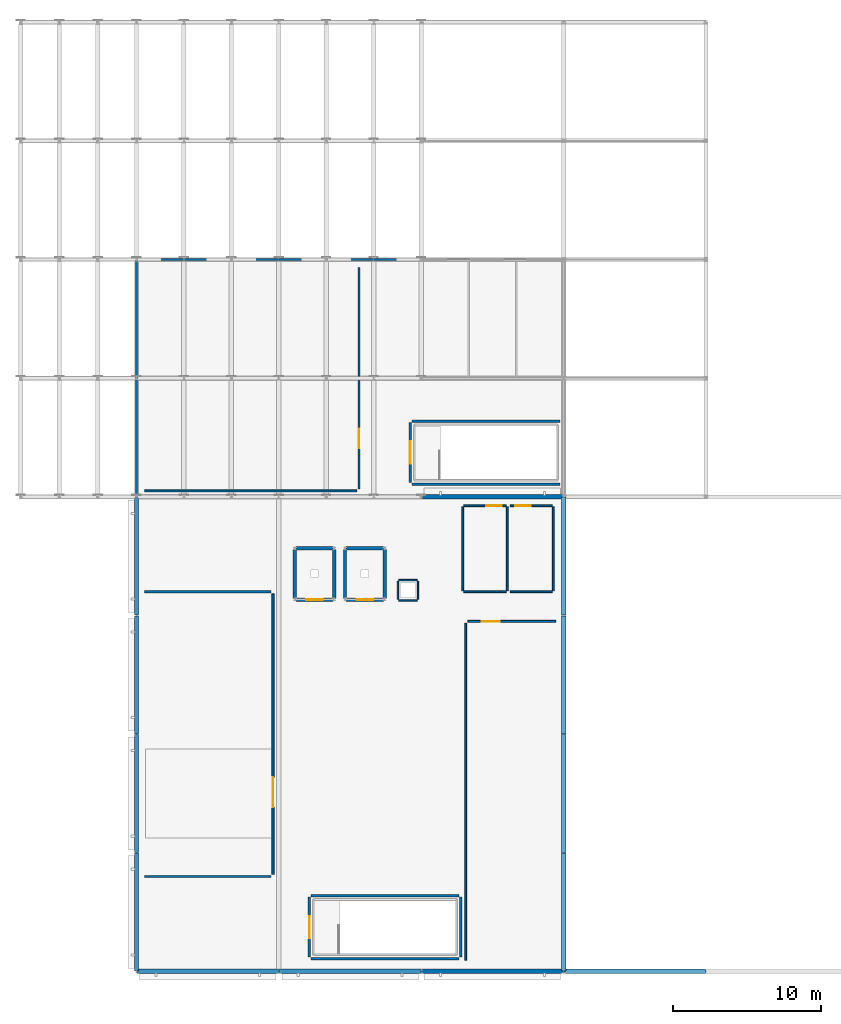
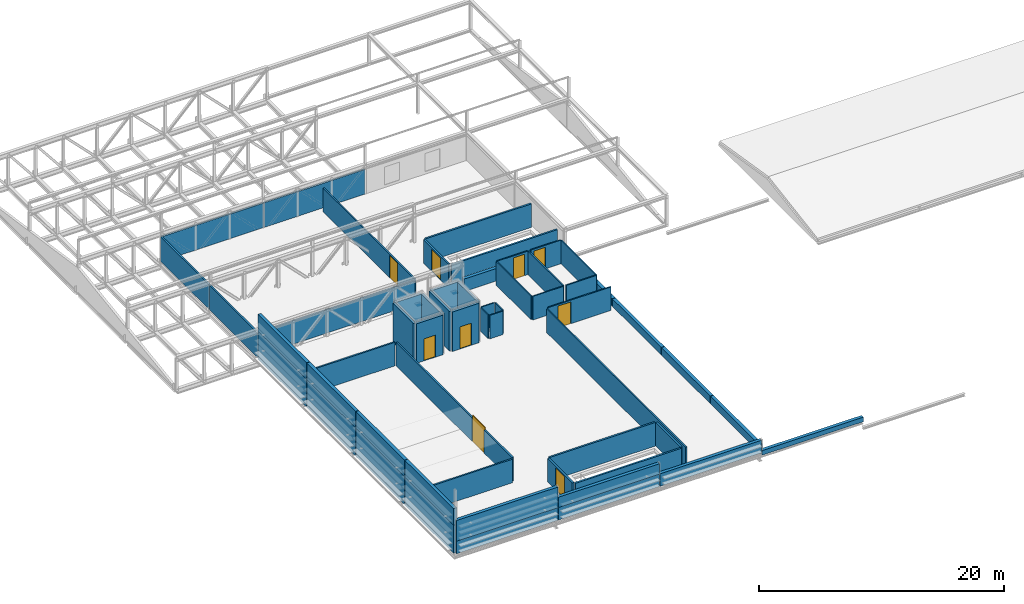
# One storey, part 32 of 34: 56 walls, 9 doors, 9 openings.
"""IFC4 building model written with IfcOpenShell, lengths in metres."""

from ifc_helpers import new_model, si_unit, direction, frame, frame_2d, origin, place, context, subcontext, project, spatial, rectangle, extrude, material, layer, layer_set, type_object, element, fill, save


model = new_model("IFC4")

# Units and contexts
model_context = context("Model", 3, precision=1e-05, world=origin(), true_north=direction((0.0, 1.0)))
body_context = subcontext(model_context, "Body", "Model", "MODEL_VIEW")
ifc_project = project(units=[si_unit("LENGTHUNIT", "METRE"), si_unit("AREAUNIT", "SQUARE_METRE"), si_unit("VOLUMEUNIT", "CUBIC_METRE"), si_unit("PLANEANGLEUNIT", "RADIAN"), si_unit("MASSUNIT", "GRAM", prefix="KILO")], contexts=[model_context])

# Site, building, storey
site_placement = place(None, origin())
site = spatial("IfcSite", under=ifc_project, at=site_placement, CompositionType="ELEMENT")
building_placement = place(site_placement, origin())
building = spatial("IfcBuilding", under=site, at=building_placement, Name="Alderhovde Museum", CompositionType="ELEMENT")
storey_placement = place(building_placement, frame((0.0, 0.0, 25.800048828125)))
storey = spatial("IfcBuildingStorey", under=building, at=storey_placement, Name="L05", CompositionType="ELEMENT", Elevation=25.800048828125)

# Walls
ifc_material_1 = material(Name="Limestone Ashlar Rainscreen Wall", Category="masonry")
ifc_layer_1 = layer(ifc_material_1, 0.14990234375)
ifc_layer_set_1 = layer_set([ifc_layer_1], Name="Limestone Ashlar Rainscreen Wall")
wall_type_1 = type_object("IfcWallType", Name="EW-LIME-340", PredefinedType="SOLIDWALL", material=ifc_layer_set_1)
wall_1_placement = place(storey_placement, frame((9.6201171875, 96.0, 0.0), z_axis=(0.0, 0.0, 1.0), x_axis=(1.0, 0.0, 0.0)))
element("IfcWall", 1, at=wall_1_placement, inside=storey, type_object=wall_type_1, Name="L05 L05 Curatorial Library North Wall 166", PredefinedType="SOLIDWALL", context=body_context, shape_type="SweptSolid", body=[
    extrude(rectangle(XDim=9.559814453125, YDim=0.14990234375, at=frame_2d((4.77978515625, 0.0))), origin(), (0.0, 0.0, 1.0), 2.449951171875),
])
wall_2_placement = place(storey_placement, frame((19.219970703125, 96.0, 0.0), z_axis=(0.0, 0.0, 1.0), x_axis=(1.0, 0.0, 0.0)))
element("IfcWall", 2, at=wall_2_placement, inside=storey, type_object=wall_type_1, Name="L05 L05 Curatorial Library North Wall 167", PredefinedType="SOLIDWALL", context=body_context, shape_type="SweptSolid", body=[
    extrude(rectangle(XDim=9.56005859375, YDim=0.14990234375, at=frame_2d((4.780029296875, 0.0))), origin(), (0.0, 0.0, 1.0), 2.449951171875),
])
for number, where, z_axis, x_axis, name in (
    (3, (9.60009765625, 80.02001953125, 0.0), (0.0, 0.0, 1.0), (0.0, 1.0, 0.0), "L05 L05 Library West Wall 169"),
    (4, (9.60009765625, 88.02001953125, 0.0), (0.0, 0.0, 1.0), (0.0, 1.0, 0.0), "L05 L05 Library West Wall 171"),
):
    element("IfcWall", number, at=place(storey_placement, frame(where, z_axis=z_axis, x_axis=x_axis)), inside=storey, type_object=wall_type_1, Name=name, PredefinedType="SOLIDWALL", context=body_context, shape_type="SweptSolid", body=[
        extrude(rectangle(XDim=7.9599609375, YDim=0.14990234375, at=frame_2d((3.97998046875, 0.0))), origin(), (0.0, 0.0, 1.0), 2.449951171875),
    ])
ifc_material_2 = material(Name="Insulated Zinc-Clad Backing Wall")
ifc_layer_2 = layer(ifc_material_2, 0.300048828125)
ifc_layer_set_2 = layer_set([ifc_layer_2], Name="Insulated Zinc-Clad Backing Wall")
wall_type_2 = type_object("IfcWallType", Name="EW-ZINC-300", PredefinedType="SOLIDWALL", material=ifc_layer_set_2)
wall_3_placement = place(storey_placement, frame((9.6201171875, 48.0, 0.0), z_axis=(0.0, 0.0, 1.0), x_axis=(1.0, 0.0, 0.0)))
element("IfcWall", 5, at=wall_3_placement, inside=storey, type_object=wall_type_2, Name="L05 Folded Wing South Wall 64", PredefinedType="SOLIDWALL", context=body_context, shape_type="SweptSolid", body=[
    extrude(rectangle(XDim=9.559814453125, YDim=0.300048828125, at=frame_2d((4.77978515625, 0.0))), origin(), (0.0, 0.0, 1.0), 1.25),
])
wall_4_placement = place(storey_placement, frame((19.219970703125, 48.0, 0.0), z_axis=(0.0, 0.0, 1.0), x_axis=(1.0, 0.0, 0.0)))
element("IfcWall", 6, at=wall_4_placement, inside=storey, type_object=wall_type_2, Name="L05 Folded Wing South Wall 65", PredefinedType="SOLIDWALL", context=body_context, shape_type="SweptSolid", body=[
    extrude(rectangle(XDim=9.56005859375, YDim=0.300048828125, at=frame_2d((4.780029296875, 0.0))), origin(), (0.0, 0.0, 1.0), 1.25),
])
for number, where, z_axis, x_axis, name in (
    (7, (28.820068359375, 48.0, 0.0), (0.0, 0.0, 1.0), (1.0, 0.0, 0.0), "L05 Folded Wing South Wall 66"),
    (8, (28.820068359375, 80.0, 0.0), (0.0, 0.0, 1.0), (1.0, 0.0, 0.0), "L05 Folded Wing North Wall 67"),
):
    element("IfcWall", number, at=place(storey_placement, frame(where, z_axis=z_axis, x_axis=x_axis)), inside=storey, type_object=wall_type_2, Name=name, PredefinedType="SOLIDWALL", context=body_context, shape_type="SweptSolid", body=[
        extrude(rectangle(XDim=9.559814453125, YDim=0.300048828125, at=frame_2d((4.77978515625, 0.0))), origin(), (0.0, 0.0, 1.0), 1.25),
    ])
for number, where, z_axis, x_axis, name in (
    (9, (9.60009765625, 48.02001953125, 0.0), (0.0, 0.0, 1.0), (0.0, 1.0, 0.0), "L05 Raised West Prow Wall 68"),
    (10, (9.60009765625, 56.02001953125, 0.0), (0.0, 0.0, 1.0), (0.0, 1.0, 0.0), "L05 Raised West Prow Wall 69"),
    (11, (9.60009765625, 64.02001953125, 0.0), (0.0, 0.0, 1.0), (0.0, 1.0, 0.0), "L05 Raised West Prow Wall 70"),
    (12, (9.60009765625, 72.02001953125, 0.0), (0.0, 0.0, 1.0), (0.0, 1.0, 0.0), "L05 Raised West Prow Wall 71"),
):
    element("IfcWall", number, at=place(storey_placement, frame(where, z_axis=z_axis, x_axis=x_axis)), inside=storey, type_object=wall_type_2, Name=name, PredefinedType="SOLIDWALL", context=body_context, shape_type="SweptSolid", body=[
        extrude(rectangle(XDim=7.9599609375, YDim=0.300048828125, at=frame_2d((3.97998046875, 0.0))), origin(), (0.0, 0.0, 1.0), 2.800048828125),
    ])
for number, where, z_axis, x_axis, name in (
    (13, (38.39990234375, 48.02001953125, 0.0), (0.0, 0.0, 1.0), (0.0, 1.0, 0.0), "L05 Folded Wing East Step Wall 72"),
    (14, (38.39990234375, 56.02001953125, 0.0), (0.0, 0.0, 1.0), (0.0, 1.0, 0.0), "L05 Folded Wing East Step Wall 73"),
    (15, (38.39990234375, 64.02001953125, 0.0), (0.0, 0.0, 1.0), (0.0, 1.0, 0.0), "L05 Folded Wing East Step Wall 74"),
    (16, (38.39990234375, 72.02001953125, 0.0), (0.0, 0.0, 1.0), (0.0, 1.0, 0.0), "L05 Folded Wing East Step Wall 75"),
):
    element("IfcWall", number, at=place(storey_placement, frame(where, z_axis=z_axis, x_axis=x_axis)), inside=storey, type_object=wall_type_2, Name=name, PredefinedType="SOLIDWALL", context=body_context, shape_type="SweptSolid", body=[
        extrude(rectangle(XDim=7.9599609375, YDim=0.300048828125, at=frame_2d((3.97998046875, 0.0))), origin(), (0.0, 0.0, 1.0), 0.75),
    ])
wall_5_placement = place(storey_placement, frame((9.6201171875, 48.0, 1.25), z_axis=(0.0, 0.0, 1.0), x_axis=(1.0, 0.0, 0.0)))
element("IfcWall", 17, at=wall_5_placement, inside=storey, type_object=wall_type_2, Name="L05 Folded-Wing Fascia Wall 76", PredefinedType="SOLIDWALL", context=body_context, shape_type="SweptSolid", body=[
    extrude(rectangle(XDim=9.559814453125, YDim=0.300048828125, at=frame_2d((4.77978515625, 0.0))), origin(), (0.0, 0.0, 1.0), 2.06005859375),
])
wall_6_placement = place(storey_placement, frame((19.219970703125, 48.0, 1.25), z_axis=(0.0, 0.0, 1.0), x_axis=(1.0, 0.0, 0.0)))
element("IfcWall", 18, at=wall_6_placement, inside=storey, type_object=wall_type_2, Name="L05 Folded-Wing Fascia Wall 77", PredefinedType="SOLIDWALL", context=body_context, shape_type="SweptSolid", body=[
    extrude(rectangle(XDim=9.56005859375, YDim=0.300048828125, at=frame_2d((4.780029296875, 0.0))), origin(), (0.0, 0.0, 1.0), 1.02197265625),
])
wall_7_placement = place(storey_placement, frame((38.419921875, 48.0, -0.260009765625), z_axis=(0.0, 0.0, 1.0), x_axis=(1.0, 0.0, 0.0)))
element("IfcWall", 19, at=wall_7_placement, inside=storey, type_object=wall_type_2, Name="L05 Folded-Wing Fascia Wall 78", PredefinedType="SOLIDWALL", context=body_context, shape_type="SweptSolid", body=[
    extrude(rectangle(XDim=9.56005859375, YDim=0.300048828125, at=frame_2d((4.780029296875, 0.0))), origin(), (0.0, 0.0, 1.0), 0.455078125),
])
for number, where, z_axis, x_axis, name in (
    (20, (9.60009765625, 48.02001953125, 2.800048828125), (0.0, 0.0, 1.0), (0.0, 1.0, 0.0), "L05 Raised West Prow Fascia Wall 81"),
    (21, (9.60009765625, 56.02001953125, 2.800048828125), (0.0, 0.0, 1.0), (0.0, 1.0, 0.0), "L05 Raised West Prow Fascia Wall 82"),
    (22, (9.60009765625, 64.02001953125, 2.800048828125), (0.0, 0.0, 1.0), (0.0, 1.0, 0.0), "L05 Raised West Prow Fascia Wall 83"),
    (23, (9.60009765625, 72.02001953125, 2.800048828125), (0.0, 0.0, 1.0), (0.0, 1.0, 0.0), "L05 Raised West Prow Fascia Wall 84"),
):
    element("IfcWall", number, at=place(storey_placement, frame(where, z_axis=z_axis, x_axis=x_axis)), inside=storey, type_object=wall_type_2, Name=name, PredefinedType="SOLIDWALL", context=body_context, shape_type="SweptSolid", body=[
        extrude(rectangle(XDim=7.9599609375, YDim=0.300048828125, at=frame_2d((3.97998046875, 0.0))), origin(), (0.0, 0.0, 1.0), 1.64990234375),
    ])
ifc_material_3 = material(Name="Plywood-Backed Gallery Display Partition", Category="wood")
ifc_layer_3 = layer(ifc_material_3, 0.14990234375)
ifc_layer_set_3 = layer_set([ifc_layer_3], Name="Plywood-Backed Gallery Display Partition")
wall_type_3 = type_object("IfcWallType", Name="IW-GAL-150", PredefinedType="PARTITIONING", material=ifc_layer_set_3)
for number, where, z_axis, x_axis, name in (
    (24, (10.139892578125, 73.60009765625, 0.0), (0.0, 0.0, 1.0), (1.0, 0.0, 0.0), "L05 Raised Prow Top-Lit Sky Gallery Partition Wall N"),
    (25, (10.139892578125, 54.39990234375, 0.0), (0.0, 0.0, 1.0), (1.0, 0.0, 0.0), "L05 Raised Prow Top-Lit Sky Gallery Partition Wall S"),
):
    element("IfcWall", number, at=place(storey_placement, frame(where, z_axis=z_axis, x_axis=x_axis)), inside=storey, type_object=wall_type_3, Name=name, PredefinedType="PARTITIONING", context=body_context, shape_type="SweptSolid", body=[
        extrude(rectangle(XDim=8.52001953125, YDim=0.14990234375, at=frame_2d((4.260009765625, 0.0))), origin(), (0.0, 0.0, 1.0), 2.349853515625),
    ])

# Wall, opening, door
wall_8_placement = place(storey_placement, frame((18.800048828125, 54.5400390625, 0.0), z_axis=(0.0, 0.0, 1.0), x_axis=(0.0, 1.0, 0.0)))
wall_8 = element("IfcWall", 26, at=wall_8_placement, inside=storey, type_object=wall_type_3, Name="L05 Raised Prow Top-Lit Sky Gallery Partition Wall E", PredefinedType="PARTITIONING", context=body_context, shape_type="SweptSolid", body=[
    extrude(rectangle(XDim=18.919921875, YDim=0.14990234375, at=frame_2d((9.4599609375, 0.0))), origin(), (0.0, 0.0, 1.0), 2.349853515625),
])
opening_1_placement = place(wall_8_placement, frame((4.541015625, 0.0, 0.0)))
opening_1 = element("IfcOpeningElement", 27, at=opening_1_placement, cuts=wall_8, Name="Opening D02", PredefinedType="OPENING", context=body_context, shape_type="SweptSolid", body=[
    extrude(rectangle(XDim=2.0, YDim=2.60009765625, at=frame_2d((1.0, 1.300048828125))), frame((0.0, 0.0849609375, 0.0), z_axis=(0.0, -1.0, 0.0), x_axis=(1.0, 0.0, 0.0)), (0.0, 0.0, 1.0), 0.169921875),
])
ifc_material_4 = material(Name="Exhibition Enfilade Double Door (Steel/Oak)", Category="steel")
door_type_1 = type_object("IfcDoorType", Name="ID-GAL-2000x2600", OperationType="NOTDEFINED", PredefinedType="DOOR", material=ifc_material_4)
door_1_placement = place(opening_1_placement, origin())
door_1 = element("IfcDoor", 28, at=door_1_placement, inside=storey, type_object=door_type_1, Name="L05 Raised Prow Top-Lit Sky Gallery Door", OperationType="DOUBLE_DOOR_SINGLE_SWING", OverallHeight=2.60009765625, OverallWidth=2.0, PredefinedType="DOOR", context=body_context, shape_type="SweptSolid", body=[
    extrude(rectangle(XDim=2.0, YDim=2.60009765625, at=frame_2d((1.0, 1.300048828125))), frame((0.0, 0.02490234375, 0.0), z_axis=(0.0, -1.0, 0.0), x_axis=(1.0, 0.0, 0.0)), (0.0, 0.0, 1.0), 0.050048828125),
])
fill(opening_1, door_1)

# Walls
ifc_material_5 = material(Name="Acoustic Service Riser Lining Wall")
ifc_layer_4 = layer(ifc_material_5, 0.10009765625)
ifc_layer_set_4 = layer_set([ifc_layer_4], Name="Acoustic Service Riser Lining Wall")
wall_type_4 = type_object("IfcWallType", Name="IW-LIN-100", PredefinedType="PARTITIONING", material=ifc_layer_set_4)
for number, where, z_axis, x_axis, name in (
    (29, (27.280029296875, 74.3798828125, 0.0), (0.0, 0.0, 1.0), (1.0, 0.0, 0.0), "L05 Service Riser RSR-V1A Shaft Wall N"),
    (30, (27.280029296875, 73.02001953125, 0.0), (0.0, 0.0, 1.0), (1.0, 0.0, 0.0), "L05 Service Riser RSR-V1A Shaft Wall S"),
    (31, (27.219970703125, 73.080078125, 0.0), (0.0, 0.0, 1.0), (0.0, 1.0, 0.0), "L05 Service Riser RSR-V1A Shaft Wall W"),
    (32, (28.580078125, 73.080078125, 0.0), (0.0, 0.0, 1.0), (0.0, 1.0, 0.0), "L05 Service Riser RSR-V1A Shaft Wall E"),
):
    element("IfcWall", number, at=place(storey_placement, frame(where, z_axis=z_axis, x_axis=x_axis)), inside=storey, type_object=wall_type_4, Name=name, PredefinedType="PARTITIONING", context=body_context, shape_type="SweptSolid", body=[
        extrude(rectangle(XDim=1.239990234375, YDim=0.10009765625, at=frame_2d((0.6201171875, 0.0))), origin(), (0.0, 0.0, 1.0), 2.349853515625),
    ])

# Wall, opening, door
ifc_material_6 = material(Name="Insulated Metal-Stud Room Partition")
ifc_layer_5 = layer(ifc_material_6, 0.125)
ifc_layer_set_5 = layer_set([ifc_layer_5], Name="Insulated Metal-Stud Room Partition")
wall_type_5 = type_object("IfcWallType", Name="IW-PART-125", PredefinedType="PARTITIONING", material=ifc_layer_set_5)
wall_9_placement = place(storey_placement, frame((31.93994140625, 71.60009765625, 0.0), z_axis=(0.0, 0.0, 1.0), x_axis=(1.0, 0.0, 0.0)))
wall_9 = element("IfcWall", 33, at=wall_9_placement, inside=storey, type_object=wall_type_5, Name="L05 Nordic Botany Cabinet Partition Wall N", PredefinedType="PARTITIONING", context=body_context, shape_type="SweptSolid", body=[
    extrude(rectangle(XDim=5.920166015625, YDim=0.125, at=frame_2d((2.9599609375, 0.0))), origin(), (0.0, 0.0, 1.0), 2.349853515625),
])
opening_2_placement = place(wall_9_placement, frame((0.947998046875, 0.0, 0.0)))
opening_2 = element("IfcOpeningElement", 34, at=opening_2_placement, cuts=wall_9, Name="Opening D15", PredefinedType="OPENING", context=body_context, shape_type="SweptSolid", body=[
    extrude(rectangle(XDim=1.199951171875, YDim=2.179931640625, at=frame_2d((0.60009765625, 1.08984375))), frame((0.0, 0.072509765625, 0.0), z_axis=(0.0, -1.0, 0.0), x_axis=(1.0, 0.0, 0.0)), (0.0, 0.0, 1.0), 0.14501953125),
])
ifc_material_7 = material(Name="Botanical Cabinet Oak Door (Steel/Oak)", Category="steel")
door_type_2 = type_object("IfcDoorType", Name="ID-BOT-1200x2180", OperationType="NOTDEFINED", PredefinedType="DOOR", material=ifc_material_7)
door_2_placement = place(opening_2_placement, origin())
door_2 = element("IfcDoor", 35, at=door_2_placement, inside=storey, type_object=door_type_2, Name="L05 Nordic Botany Cabinet Door", OperationType="SINGLE_SWING_RIGHT", OverallHeight=2.179931640625, OverallWidth=1.199951171875, PredefinedType="DOOR", context=body_context, shape_type="SweptSolid", body=[
    extrude(rectangle(XDim=1.199951171875, YDim=2.179931640625, at=frame_2d((0.60009765625, 1.08984375))), frame((0.0, 0.02490234375, 0.0), z_axis=(0.0, -1.0, 0.0), x_axis=(1.0, 0.0, 0.0)), (0.0, 0.0, 1.0), 0.050048828125),
])
fill(opening_2, door_2)

# Walls
wall_10_placement = place(storey_placement, frame((31.800048828125, 48.739990234375, 0.0), z_axis=(0.0, 0.0, 1.0), x_axis=(0.0, 1.0, 0.0)))
element("IfcWall", 36, at=wall_10_placement, inside=storey, type_object=wall_type_5, Name="L05 Nordic Botany Cabinet Partition Wall W", PredefinedType="PARTITIONING", context=body_context, shape_type="SweptSolid", body=[
    extrude(rectangle(XDim=22.719970703125, YDim=0.125, at=frame_2d((11.35986328125, 0.0))), origin(), (0.0, 0.0, 1.0), 2.349853515625),
])
wall_11_placement = place(storey_placement, frame((10.139892578125, 80.39990234375, 0.0), z_axis=(0.0, 0.0, 1.0), x_axis=(1.0, 0.0, 0.0)))
element("IfcWall", 37, at=wall_11_placement, inside=storey, type_object=wall_type_5, Name="L05 Curatorial Reference Library Partition Wall S", PredefinedType="PARTITIONING", context=body_context, shape_type="SweptSolid", body=[
    extrude(rectangle(XDim=14.320068359375, YDim=0.125, at=frame_2d((7.16015625, 0.0))), origin(), (0.0, 0.0, 1.0), 2.349853515625),
])

# Wall, opening, door
wall_12_placement = place(storey_placement, frame((24.60009765625, 80.5400390625, 0.0), z_axis=(0.0, 0.0, 1.0), x_axis=(0.0, 1.0, 0.0)))
wall_12 = element("IfcWall", 38, at=wall_12_placement, inside=storey, type_object=wall_type_5, Name="L05 Curatorial Reference Library Partition Wall E", PredefinedType="PARTITIONING", context=body_context, shape_type="SweptSolid", body=[
    extrude(rectangle(XDim=14.919921875, YDim=0.125, at=frame_2d((7.4599609375, 0.0))), origin(), (0.0, 0.0, 1.0), 2.349853515625),
])
opening_3_placement = place(wall_12_placement, frame((2.735107421875, 0.0, 0.0)))
opening_3 = element("IfcOpeningElement", 39, at=opening_3_placement, cuts=wall_12, Name="Opening D08", PredefinedType="OPENING", context=body_context, shape_type="SweptSolid", body=[
    extrude(rectangle(XDim=1.300048828125, YDim=2.25, at=frame_2d((0.64990234375, 1.125))), frame((0.0, 0.072509765625, 0.0), z_axis=(0.0, -1.0, 0.0), x_axis=(1.0, 0.0, 0.0)), (0.0, 0.0, 1.0), 0.14501953125),
])
ifc_material_8 = material(Name="Glazed Reference Library Door (Steel/Oak)", Category="steel")
door_type_3 = type_object("IfcDoorType", Name="ID-LIB-1300x2250", OperationType="NOTDEFINED", PredefinedType="DOOR", material=ifc_material_8)
door_3_placement = place(opening_3_placement, origin())
door_3 = element("IfcDoor", 40, at=door_3_placement, inside=storey, type_object=door_type_3, Name="L05 Curatorial Reference Library Door", OperationType="SINGLE_SWING_LEFT", OverallHeight=2.25, OverallWidth=1.300048828125, PredefinedType="DOOR", context=body_context, shape_type="SweptSolid", body=[
    extrude(rectangle(XDim=1.300048828125, YDim=2.25, at=frame_2d((0.64990234375, 1.125))), frame((0.0, 0.02490234375, 0.0), z_axis=(0.0, -1.0, 0.0), x_axis=(1.0, 0.0, 0.0)), (0.0, 0.0, 1.0), 0.050048828125),
])
fill(opening_3, door_3)

ifc_material_9 = material(Name="Concrete C40/50 and Fireboard Shaft Wall", Category="concrete")
ifc_layer_6 = layer(ifc_material_9, 0.22998046875)
ifc_layer_set_6 = layer_set([ifc_layer_6], Name="Concrete C40/50 and Fireboard Shaft Wall")
wall_type_6 = type_object("IfcWallType", Name="IW-SHAFT-230", PredefinedType="SOLIDWALL", material=ifc_layer_set_6)
wall_13_placement = place(storey_placement, frame((20.340087890625, 73.06005859375, 0.0), z_axis=(0.0, 0.0, 1.0), x_axis=(1.0, 0.0, 0.0)))
wall_13 = element("IfcWall", 41, at=wall_13_placement, inside=storey, type_object=wall_type_6, Name="L05 Passenger Lift PL-01 Shaft Wall South", PredefinedType="SOLIDWALL", context=body_context, shape_type="SweptSolid", body=[
    extrude(rectangle(XDim=2.52001953125, YDim=0.22998046875, at=frame_2d((1.260009765625, 0.0))), origin(), (0.0, 0.0, 1.0), 3.93994140625),
])
opening_4_placement = place(wall_13_placement, frame((0.7099609375, 0.0, 0.0)))
opening_4 = element("IfcOpeningElement", 42, at=opening_4_placement, cuts=wall_13, Name="Opening LD-1", PredefinedType="OPENING", context=body_context, shape_type="SweptSolid", body=[
    extrude(rectangle(XDim=1.10009765625, YDim=2.199951171875, at=frame_2d((0.550048828125, 1.10009765625))), frame((0.0, 0.125, 0.0), z_axis=(0.0, -1.0, 0.0), x_axis=(1.0, 0.0, 0.0)), (0.0, 0.0, 1.0), 0.25),
])
ifc_material_10 = material(Name="Passenger Lift Sliding Landing Door (Steel/Oak)", Category="steel")
door_type_4 = type_object("IfcDoorType", Name="LD-PASS-1100x2200", OperationType="SLIDING_TO_LEFT", PredefinedType="DOOR", material=ifc_material_10)
door_4_placement = place(opening_4_placement, origin())
door_4 = element("IfcDoor", 43, at=door_4_placement, inside=storey, type_object=door_type_4, Name="L05 Passenger Lift PL-01 Landing Door", OperationType="SLIDING_TO_LEFT", OverallHeight=2.199951171875, OverallWidth=1.10009765625, PredefinedType="DOOR", context=body_context, shape_type="SweptSolid", body=[
    extrude(rectangle(XDim=1.10009765625, YDim=2.199951171875, at=frame_2d((0.550048828125, 1.10009765625))), frame((0.0, 0.02490234375, 0.0), z_axis=(0.0, -1.0, 0.0), x_axis=(1.0, 0.0, 0.0)), (0.0, 0.0, 1.0), 0.050048828125),
])
fill(opening_4, door_4)

# Walls
wall_14_placement = place(storey_placement, frame((20.340087890625, 76.5400390625, 0.0), z_axis=(0.0, 0.0, 1.0), x_axis=(1.0, 0.0, 0.0)))
element("IfcWall", 44, at=wall_14_placement, inside=storey, type_object=wall_type_6, Name="L05 Passenger Lift PL-01 Shaft Wall North", PredefinedType="SOLIDWALL", context=body_context, shape_type="SweptSolid", body=[
    extrude(rectangle(XDim=2.52001953125, YDim=0.22998046875, at=frame_2d((1.260009765625, 0.0))), origin(), (0.0, 0.0, 1.0), 3.93994140625),
])
for number, where, z_axis, x_axis, name in (
    (45, (20.260009765625, 73.139892578125, 0.0), (0.0, 0.0, 1.0), (0.0, 1.0, 0.0), "L05 Passenger Lift PL-01 Shaft Wall West"),
    (46, (22.93994140625, 73.139892578125, 0.0), (0.0, 0.0, 1.0), (0.0, 1.0, 0.0), "L05 Passenger Lift PL-01 Shaft Wall East"),
):
    element("IfcWall", number, at=place(storey_placement, frame(where, z_axis=z_axis, x_axis=x_axis)), inside=storey, type_object=wall_type_6, Name=name, PredefinedType="SOLIDWALL", context=body_context, shape_type="SweptSolid", body=[
        extrude(rectangle(XDim=3.320068359375, YDim=0.22998046875, at=frame_2d((1.66015625, 0.0))), origin(), (0.0, 0.0, 1.0), 3.93994140625),
    ])

# Wall, opening, door
wall_15_placement = place(storey_placement, frame((23.739990234375, 73.06005859375, 0.0), z_axis=(0.0, 0.0, 1.0), x_axis=(1.0, 0.0, 0.0)))
wall_15 = element("IfcWall", 47, at=wall_15_placement, inside=storey, type_object=wall_type_6, Name="L05 Passenger Lift PL-02 Shaft Wall South", PredefinedType="SOLIDWALL", context=body_context, shape_type="SweptSolid", body=[
    extrude(rectangle(XDim=2.52001953125, YDim=0.22998046875, at=frame_2d((1.260009765625, 0.0))), origin(), (0.0, 0.0, 1.0), 3.93994140625),
])
opening_5_placement = place(wall_15_placement, frame((0.7099609375, 0.0, 0.0)))
opening_5 = element("IfcOpeningElement", 48, at=opening_5_placement, cuts=wall_15, Name="Opening LD-1", PredefinedType="OPENING", context=body_context, shape_type="SweptSolid", body=[
    extrude(rectangle(XDim=1.10009765625, YDim=2.199951171875, at=frame_2d((0.550048828125, 1.10009765625))), frame((0.0, 0.125, 0.0), z_axis=(0.0, -1.0, 0.0), x_axis=(1.0, 0.0, 0.0)), (0.0, 0.0, 1.0), 0.25),
])
door_5_placement = place(opening_5_placement, origin())
door_5 = element("IfcDoor", 49, at=door_5_placement, inside=storey, type_object=door_type_4, Name="L05 Passenger Lift PL-02 Landing Door", OperationType="SLIDING_TO_RIGHT", OverallHeight=2.199951171875, OverallWidth=1.10009765625, PredefinedType="DOOR", context=body_context, shape_type="SweptSolid", body=[
    extrude(rectangle(XDim=1.10009765625, YDim=2.199951171875, at=frame_2d((0.550048828125, 1.10009765625))), frame((0.0, 0.02490234375, 0.0), z_axis=(0.0, -1.0, 0.0), x_axis=(1.0, 0.0, 0.0)), (0.0, 0.0, 1.0), 0.050048828125),
])
fill(opening_5, door_5)

# Walls
wall_16_placement = place(storey_placement, frame((23.739990234375, 76.5400390625, 0.0), z_axis=(0.0, 0.0, 1.0), x_axis=(1.0, 0.0, 0.0)))
element("IfcWall", 50, at=wall_16_placement, inside=storey, type_object=wall_type_6, Name="L05 Passenger Lift PL-02 Shaft Wall North", PredefinedType="SOLIDWALL", context=body_context, shape_type="SweptSolid", body=[
    extrude(rectangle(XDim=2.52001953125, YDim=0.22998046875, at=frame_2d((1.260009765625, 0.0))), origin(), (0.0, 0.0, 1.0), 3.93994140625),
])
for number, where, z_axis, x_axis, name in (
    (51, (23.659912109375, 73.139892578125, 0.0), (0.0, 0.0, 1.0), (0.0, 1.0, 0.0), "L05 Passenger Lift PL-02 Shaft Wall West"),
    (52, (26.340087890625, 73.139892578125, 0.0), (0.0, 0.0, 1.0), (0.0, 1.0, 0.0), "L05 Passenger Lift PL-02 Shaft Wall East"),
):
    element("IfcWall", number, at=place(storey_placement, frame(where, z_axis=z_axis, x_axis=x_axis)), inside=storey, type_object=wall_type_6, Name=name, PredefinedType="SOLIDWALL", context=body_context, shape_type="SweptSolid", body=[
        extrude(rectangle(XDim=3.320068359375, YDim=0.22998046875, at=frame_2d((1.66015625, 0.0))), origin(), (0.0, 0.0, 1.0), 3.93994140625),
    ])

# Wall, opening, door
ifc_material_11 = material(Name="Fire-Resisting Stair Lobby Wall")
ifc_layer_7 = layer(ifc_material_11, 0.169921875)
ifc_layer_set_7 = layer_set([ifc_layer_7], Name="Fire-Resisting Stair Lobby Wall")
wall_type_7 = type_object("IfcWallType", Name="IW-STAIR-170", PredefinedType="SOLIDWALL", material=ifc_layer_set_7)
wall_17_placement = place(storey_placement, frame((21.260009765625, 48.9599609375, 0.0), z_axis=(0.0, 0.0, 1.0), x_axis=(0.0, 1.0, 0.0)))
wall_17 = element("IfcWall", 53, at=wall_17_placement, inside=storey, type_object=wall_type_7, Name="L05 Escape Stair ST1 Fire Wall W", PredefinedType="SOLIDWALL", context=body_context, shape_type="SweptSolid", body=[
    extrude(rectangle(XDim=4.0400390625, YDim=0.169921875, at=frame_2d((2.02001953125, 0.0))), origin(), (0.0, 0.0, 1.0), 2.349853515625),
])
opening_6_placement = place(wall_17_placement, frame((1.27001953125, 0.0, 0.0)))
opening_6 = element("IfcOpeningElement", 54, at=opening_6_placement, cuts=wall_17, Name="Opening FD-1", PredefinedType="OPENING", context=body_context, shape_type="SweptSolid", body=[
    extrude(rectangle(XDim=1.5, YDim=2.199951171875, at=frame_2d((0.75, 1.10009765625))), frame((0.0, 0.094970703125, 0.0), z_axis=(0.0, -1.0, 0.0), x_axis=(1.0, 0.0, 0.0)), (0.0, 0.0, 1.0), 0.18994140625),
])
ifc_material_12 = material(Name="Fire-Rated Steel Stair Escape Door (Steel/Oak)", Category="steel")
door_type_5 = type_object("IfcDoorType", Name="FD-STAIR-1500x2200", OperationType="NOTDEFINED", PredefinedType="DOOR", material=ifc_material_12)
door_6_placement = place(opening_6_placement, origin())
door_6 = element("IfcDoor", 55, at=door_6_placement, inside=storey, type_object=door_type_5, Name="L05 Escape Stair ST1 Fire Door", OperationType="SINGLE_SWING_LEFT", OverallHeight=2.199951171875, OverallWidth=1.5, PredefinedType="DOOR", context=body_context, shape_type="SweptSolid", body=[
    extrude(rectangle(XDim=1.5, YDim=2.199951171875, at=frame_2d((0.75, 1.10009765625))), frame((0.0, 0.02490234375, 0.0), z_axis=(0.0, -1.0, 0.0), x_axis=(1.0, 0.0, 0.0)), (0.0, 0.0, 1.0), 0.050048828125),
])
fill(opening_6, door_6)

# Walls
wall_18_placement = place(storey_placement, frame((31.4599609375, 48.9599609375, 0.0), z_axis=(0.0, 0.0, 1.0), x_axis=(0.0, 1.0, 0.0)))
element("IfcWall", 56, at=wall_18_placement, inside=storey, type_object=wall_type_7, Name="L05 Escape Stair ST1 Fire Wall E", PredefinedType="SOLIDWALL", context=body_context, shape_type="SweptSolid", body=[
    extrude(rectangle(XDim=4.0400390625, YDim=0.169921875, at=frame_2d((2.02001953125, 0.0))), origin(), (0.0, 0.0, 1.0), 2.349853515625),
])
for number, where, z_axis, x_axis, name in (
    (57, (21.360107421875, 48.860107421875, 0.0), (0.0, 0.0, 1.0), (1.0, 0.0, 0.0), "L05 Escape Stair ST1 Fire Wall S"),
    (58, (21.360107421875, 53.10009765625, 0.0), (0.0, 0.0, 1.0), (1.0, 0.0, 0.0), "L05 Escape Stair ST1 Fire Wall N"),
):
    element("IfcWall", number, at=place(storey_placement, frame(where, z_axis=z_axis, x_axis=x_axis)), inside=storey, type_object=wall_type_7, Name=name, PredefinedType="SOLIDWALL", context=body_context, shape_type="SweptSolid", body=[
        extrude(rectangle(XDim=10.0, YDim=0.169921875, at=frame_2d((5.0, 0.0))), origin(), (0.0, 0.0, 1.0), 2.349853515625),
    ])

# Wall, opening, door
wall_19_placement = place(storey_placement, frame((28.06005859375, 80.9599609375, 0.0), z_axis=(0.0, 0.0, 1.0), x_axis=(0.0, 1.0, 0.0)))
wall_19 = element("IfcWall", 59, at=wall_19_placement, inside=storey, type_object=wall_type_7, Name="L05 Escape Stair ST2 Fire Wall W", PredefinedType="SOLIDWALL", context=body_context, shape_type="SweptSolid", body=[
    extrude(rectangle(XDim=4.0400390625, YDim=0.169921875, at=frame_2d((2.02001953125, 0.0))), origin(), (0.0, 0.0, 1.0), 2.349853515625),
])
opening_7_placement = place(wall_19_placement, frame((1.27001953125, 0.0, 0.0)))
opening_7 = element("IfcOpeningElement", 60, at=opening_7_placement, cuts=wall_19, Name="Opening FD-1", PredefinedType="OPENING", context=body_context, shape_type="SweptSolid", body=[
    extrude(rectangle(XDim=1.5, YDim=2.199951171875, at=frame_2d((0.75, 1.10009765625))), frame((0.0, 0.094970703125, 0.0), z_axis=(0.0, -1.0, 0.0), x_axis=(1.0, 0.0, 0.0)), (0.0, 0.0, 1.0), 0.18994140625),
])
door_7_placement = place(opening_7_placement, origin())
door_7 = element("IfcDoor", 61, at=door_7_placement, inside=storey, type_object=door_type_5, Name="L05 Escape Stair ST2 Fire Door", OperationType="SINGLE_SWING_RIGHT", OverallHeight=2.199951171875, OverallWidth=1.5, PredefinedType="DOOR", context=body_context, shape_type="SweptSolid", body=[
    extrude(rectangle(XDim=1.5, YDim=2.199951171875, at=frame_2d((0.75, 1.10009765625))), frame((0.0, 0.02490234375, 0.0), z_axis=(0.0, -1.0, 0.0), x_axis=(1.0, 0.0, 0.0)), (0.0, 0.0, 1.0), 0.050048828125),
])
fill(opening_7, door_7)

# Walls
for number, where, z_axis, x_axis, name in (
    (62, (28.159912109375, 80.860107421875, 0.0), (0.0, 0.0, 1.0), (1.0, 0.0, 0.0), "L05 Escape Stair ST2 Fire Wall S"),
    (63, (28.159912109375, 85.10009765625, 0.0), (0.0, 0.0, 1.0), (1.0, 0.0, 0.0), "L05 Escape Stair ST2 Fire Wall N"),
):
    element("IfcWall", number, at=place(storey_placement, frame(where, z_axis=z_axis, x_axis=x_axis)), inside=storey, type_object=wall_type_7, Name=name, PredefinedType="SOLIDWALL", context=body_context, shape_type="SweptSolid", body=[
        extrude(rectangle(XDim=10.0, YDim=0.169921875, at=frame_2d((5.0, 0.0))), origin(), (0.0, 0.0, 1.0), 2.349853515625),
    ])

# Wall, opening, door
ifc_material_13 = material(Name="Moisture-Resistant Sanitary Partition")
ifc_layer_8 = layer(ifc_material_13, 0.114990234375)
ifc_layer_set_8 = layer_set([ifc_layer_8], Name="Moisture-Resistant Sanitary Partition")
wall_type_8 = type_object("IfcWallType", Name="IW-WC-115", PredefinedType="PARTITIONING", material=ifc_layer_set_8)
wall_20_placement = place(storey_placement, frame((31.659912109375, 79.39990234375, 0.0), z_axis=(0.0, 0.0, 1.0), x_axis=(1.0, 0.0, 0.0)))
wall_20 = element("IfcWall", 64, at=wall_20_placement, inside=storey, type_object=wall_type_8, Name="L05 Public WC Partition Wall N", PredefinedType="PARTITIONING", context=body_context, shape_type="SweptSolid", body=[
    extrude(rectangle(XDim=2.880126953125, YDim=0.114990234375, at=frame_2d((1.43994140625, 0.0))), origin(), (0.0, 0.0, 1.0), 2.349853515625),
])
opening_8_placement = place(wall_20_placement, frame((1.510009765625, 0.0, 0.0)))
opening_8 = element("IfcOpeningElement", 65, at=opening_8_placement, cuts=wall_20, Name="Opening D09", PredefinedType="OPENING", context=body_context, shape_type="SweptSolid", body=[
    extrude(rectangle(XDim=1.050048828125, YDim=2.14990234375, at=frame_2d((0.52490234375, 1.074951171875))), frame((0.0, 0.0673828125, 0.0), z_axis=(0.0, -1.0, 0.0), x_axis=(1.0, 0.0, 0.0)), (0.0, 0.0, 1.0), 0.135009765625),
])
ifc_material_14 = material(Name="Accessible Sanitary Room Door (Steel/Oak)", Category="steel")
door_type_6 = type_object("IfcDoorType", Name="ID-WC-1050x2150", OperationType="NOTDEFINED", PredefinedType="DOOR", material=ifc_material_14)
door_8_placement = place(opening_8_placement, origin())
door_8 = element("IfcDoor", 66, at=door_8_placement, inside=storey, type_object=door_type_6, Name="L05 Public WC Door", OperationType="SINGLE_SWING_RIGHT", OverallHeight=2.14990234375, OverallWidth=1.050048828125, PredefinedType="DOOR", context=body_context, shape_type="SweptSolid", body=[
    extrude(rectangle(XDim=1.050048828125, YDim=2.14990234375, at=frame_2d((0.52490234375, 1.074951171875))), frame((0.0, 0.02490234375, 0.0), z_axis=(0.0, -1.0, 0.0), x_axis=(1.0, 0.0, 0.0)), (0.0, 0.0, 1.0), 0.050048828125),
])
fill(opening_8, door_8)

# Walls
wall_21_placement = place(storey_placement, frame((31.659912109375, 73.60009765625, 0.0), z_axis=(0.0, 0.0, 1.0), x_axis=(1.0, 0.0, 0.0)))
element("IfcWall", 67, at=wall_21_placement, inside=storey, type_object=wall_type_8, Name="L05 Public WC Partition Wall S", PredefinedType="PARTITIONING", context=body_context, shape_type="SweptSolid", body=[
    extrude(rectangle(XDim=2.880126953125, YDim=0.114990234375, at=frame_2d((1.43994140625, 0.0))), origin(), (0.0, 0.0, 1.0), 2.349853515625),
])
for number, where, z_axis, x_axis, name in (
    (68, (31.60009765625, 73.659912109375, 0.0), (0.0, 0.0, 1.0), (0.0, 1.0, 0.0), "L05 Public WC Partition Wall W"),
    (69, (34.60009765625, 73.659912109375, 0.0), (0.0, 0.0, 1.0), (0.0, 1.0, 0.0), "L05 Public WC Partition Wall E"),
):
    element("IfcWall", number, at=place(storey_placement, frame(where, z_axis=z_axis, x_axis=x_axis)), inside=storey, type_object=wall_type_8, Name=name, PredefinedType="PARTITIONING", context=body_context, shape_type="SweptSolid", body=[
        extrude(rectangle(XDim=5.68017578125, YDim=0.114990234375, at=frame_2d((2.840087890625, 0.0))), origin(), (0.0, 0.0, 1.0), 2.349853515625),
    ])

# Wall, opening, door
wall_22_placement = place(storey_placement, frame((34.81005859375, 79.39990234375, 0.0), z_axis=(0.0, 0.0, 1.0), x_axis=(1.0, 0.0, 0.0)))
wall_22 = element("IfcWall", 70, at=wall_22_placement, inside=storey, type_object=wall_type_8, Name="L05 Accessible WC Partition Wall N", PredefinedType="PARTITIONING", context=body_context, shape_type="SweptSolid", body=[
    extrude(rectangle(XDim=2.829833984375, YDim=0.114990234375, at=frame_2d((1.4150390625, 0.0))), origin(), (0.0, 0.0, 1.0), 2.349853515625),
])
opening_9_placement = place(wall_22_placement, frame((0.320068359375, 0.0, 0.0)))
opening_9 = element("IfcOpeningElement", 71, at=opening_9_placement, cuts=wall_22, Name="Opening D09", PredefinedType="OPENING", context=body_context, shape_type="SweptSolid", body=[
    extrude(rectangle(XDim=1.050048828125, YDim=2.14990234375, at=frame_2d((0.52490234375, 1.074951171875))), frame((0.0, 0.0673828125, 0.0), z_axis=(0.0, -1.0, 0.0), x_axis=(1.0, 0.0, 0.0)), (0.0, 0.0, 1.0), 0.135009765625),
])
door_9_placement = place(opening_9_placement, origin())
door_9 = element("IfcDoor", 72, at=door_9_placement, inside=storey, type_object=door_type_6, Name="L05 Accessible WC Door", OperationType="SINGLE_SWING_LEFT", OverallHeight=2.14990234375, OverallWidth=1.050048828125, PredefinedType="DOOR", context=body_context, shape_type="SweptSolid", body=[
    extrude(rectangle(XDim=1.050048828125, YDim=2.14990234375, at=frame_2d((0.52490234375, 1.074951171875))), frame((0.0, 0.02490234375, 0.0), z_axis=(0.0, -1.0, 0.0), x_axis=(1.0, 0.0, 0.0)), (0.0, 0.0, 1.0), 0.050048828125),
])
fill(opening_9, door_9)

# Walls
wall_23_placement = place(storey_placement, frame((34.81005859375, 73.60009765625, 0.0), z_axis=(0.0, 0.0, 1.0), x_axis=(1.0, 0.0, 0.0)))
element("IfcWall", 73, at=wall_23_placement, inside=storey, type_object=wall_type_8, Name="L05 Accessible WC Partition Wall S", PredefinedType="PARTITIONING", context=body_context, shape_type="SweptSolid", body=[
    extrude(rectangle(XDim=2.829833984375, YDim=0.114990234375, at=frame_2d((1.4150390625, 0.0))), origin(), (0.0, 0.0, 1.0), 2.349853515625),
])
wall_24_placement = place(storey_placement, frame((37.699951171875, 73.659912109375, 0.0), z_axis=(0.0, 0.0, 1.0), x_axis=(0.0, 1.0, 0.0)))
element("IfcWall", 74, at=wall_24_placement, inside=storey, type_object=wall_type_8, Name="L05 Accessible WC Partition Wall E", PredefinedType="PARTITIONING", context=body_context, shape_type="SweptSolid", body=[
    extrude(rectangle(XDim=5.68017578125, YDim=0.114990234375, at=frame_2d((2.840087890625, 0.0))), origin(), (0.0, 0.0, 1.0), 2.349853515625),
])

save(model, "model.ifc")
